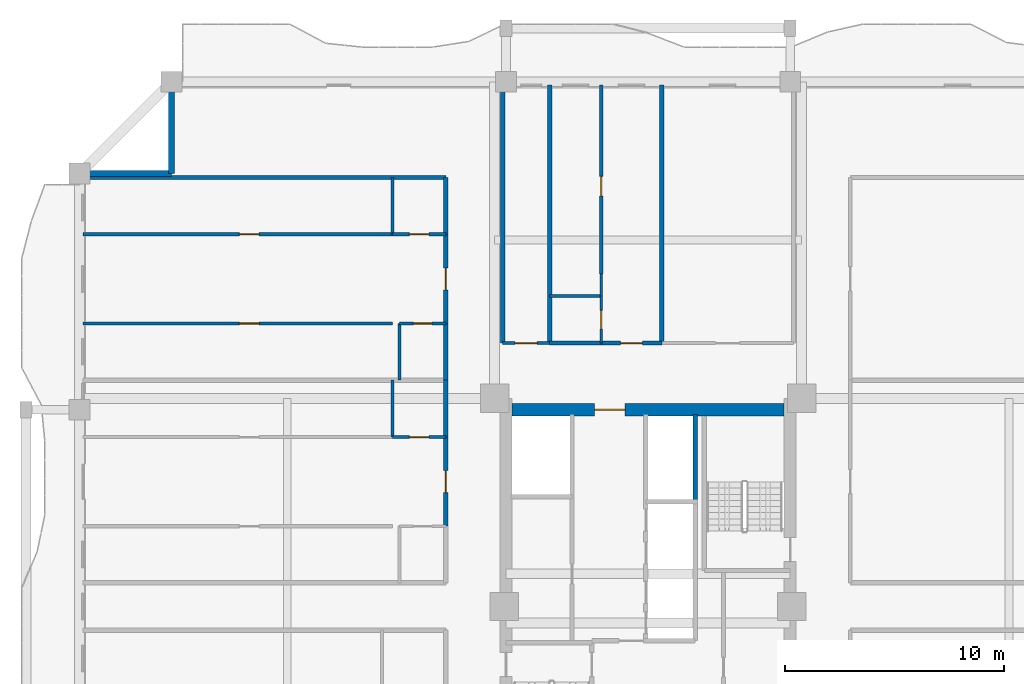
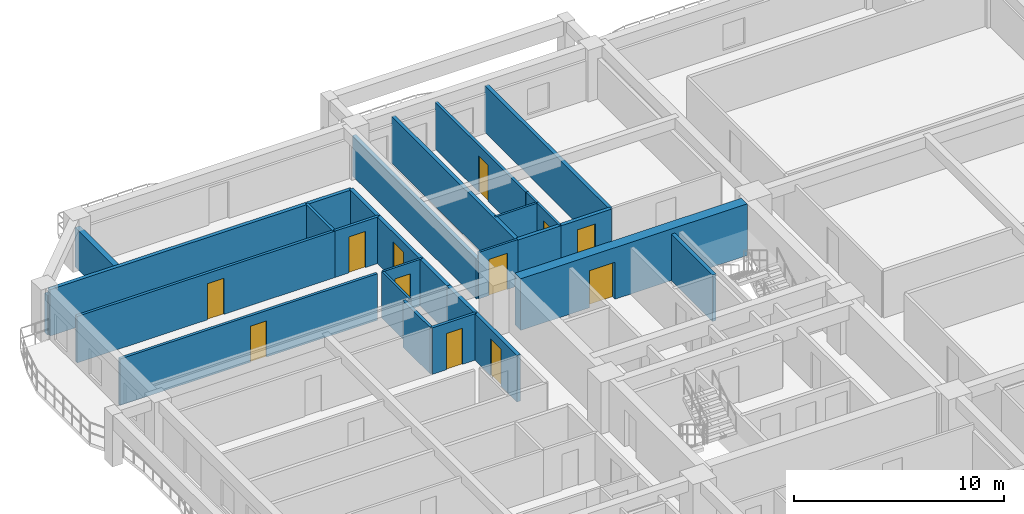
# One storey, part 5 of 11: 28 walls, 12 doors, 12 openings.
"""IFC4 building model written with IfcOpenShell, lengths in metres."""

from ifc_helpers import new_model, si_unit, direction, frame, frame_2d, origin, place, context, subcontext, project, spatial, rectangle, extrude, source, transform, mapped, material, layer, layer_set, type_object, element, fill, save


model = new_model("IFC4")

# Units and contexts
model_context = context("Model", 3, precision=1e-05, world=origin(), true_north=direction((0.0, 1.0)))
body_context = subcontext(model_context, "Body", "Model", "MODEL_VIEW")
ifc_project = project(units=[si_unit("LENGTHUNIT", "METRE"), si_unit("AREAUNIT", "SQUARE_METRE"), si_unit("VOLUMEUNIT", "CUBIC_METRE"), si_unit("PLANEANGLEUNIT", "RADIAN"), si_unit("MASSUNIT", "GRAM", prefix="KILO")], contexts=[model_context])

# Site, building, storey
site_placement = place(None, origin())
site = spatial("IfcSite", under=ifc_project, at=site_placement, CompositionType="ELEMENT")
building_placement = place(site_placement, origin())
building = spatial("IfcBuilding", under=site, at=building_placement, Name="Saelheon Loggia Tower", CompositionType="ELEMENT")
storey_placement = place(building_placement, frame((0.0, 0.0, 141.75)))
storey = spatial("IfcBuildingStorey", under=building, at=storey_placement, Name="L45", CompositionType="ELEMENT", Elevation=141.75)

# Wall, opening, door
ifc_material_1 = material(Name="Concrete C50/60", Category="concrete")
ifc_layer_1 = layer(ifc_material_1, 0.550048828125)
ifc_layer_set_1 = layer_set([ifc_layer_1], Name="Concrete C50/60")
wall_type_1 = type_object("IfcWallType", Name="Wall_CoreShear_550", PredefinedType="SHEAR", material=ifc_layer_set_1)
wall_1_placement = place(storey_placement, frame((31.77490234375, 36.0, 0.0), z_axis=(0.0, 0.0, 1.0), x_axis=(1.0, 0.0, 0.0)))
wall_1 = element("IfcWall", 1, at=wall_1_placement, inside=storey, type_object=wall_type_1, Name="L45 Core Shear Wall North", PredefinedType="SHEAR", context=body_context, shape_type="SweptSolid", body=[
    extrude(rectangle(XDim=12.4501953125, YDim=0.550048828125, at=frame_2d((6.22509765625, 0.0))), origin(), (0.0, 0.0, 1.0), 3.0),
])
opening_1_placement = place(wall_1_placement, frame((5.1748046875, 0.0, 0.0), z_axis=(0.0, 0.0, 1.0), x_axis=(-1.0, 0.0, 0.0)))
opening_1 = element("IfcOpeningElement", 2, at=opening_1_placement, cuts=wall_1, Name="Opening D-FD2L", PredefinedType="OPENING", context=body_context, shape_type="SweptSolid", body=[
    extrude(rectangle(XDim=1.39990234375, YDim=2.14990234375, at=frame_2d((0.699951171875, 1.074951171875))), frame((0.0, 0.287109375, 0.0), z_axis=(0.0, -1.0, 0.0), x_axis=(1.0, 0.0, 0.0)), (0.0, 0.0, 1.0), 0.573974609375),
])
ifc_material_2 = material(Name="Galvanised Steel Glazed Lobby Fire Door", Category="steel")
door_type_1 = type_object("IfcDoorType", Name="Door_Fire_FD60_1400", OperationType="NOTDEFINED", PredefinedType="DOOR", material=ifc_material_2)
shared_shape_1 = source(origin(), body_context, "Body", "SweptSolid", [
    extrude(rectangle(XDim=1.39990234375, YDim=2.14990234375, at=frame_2d((0.699951171875, 1.074951171875))), frame((0.0, 0.02490234375, 0.0), z_axis=(0.0, -1.0, 0.0), x_axis=(1.0, 0.0, 0.0)), (0.0, 0.0, 1.0), 0.050048828125),
])
door_1_placement = place(opening_1_placement, origin())
door_1 = element("IfcDoor", 3, at=door_1_placement, inside=storey, type_object=door_type_1, Name="L45 Passenger Lift Lobby Main Door", OperationType="SINGLE_SWING_RIGHT", OverallHeight=2.14990234375, OverallWidth=1.39990234375, PredefinedType="DOOR", context=body_context, shape_type="MappedRepresentation", body=[
    mapped(shared_shape_1, transform((0.0, 0.0, 0.0), scale=1.0)),
])
fill(opening_1, door_1)

# Walls
ifc_material_3 = material(Name="Architectural Precast Concrete C40/50", Category="concrete")
ifc_layer_2 = layer(ifc_material_3, 0.280029296875)
ifc_layer_set_2 = layer_set([ifc_layer_2], Name="Architectural Precast Concrete C40/50")
wall_type_2 = type_object("IfcWallType", Name="Wall_Ext_Loggia_280", PredefinedType="SOLIDWALL", material=ifc_layer_set_2)
for number, where, z_axis, x_axis, name in (
    (4, (16.199951171875, 46.800048828125, 0.0), (0.0, 0.0, 1.0), (0.0, 1.0, 0.0), "L45 Corner Notch Precast Wall NW1"),
    (5, (12.080078125, 46.800048828125, 0.0), (0.0, 0.0, 1.0), (1.0, 0.0, 0.0), "L45 Corner Notch Precast Wall NW2"),
):
    element("IfcWall", number, at=place(storey_placement, frame(where, z_axis=z_axis, x_axis=x_axis)), inside=storey, type_object=wall_type_2, Name=name, PredefinedType="SOLIDWALL", context=body_context, shape_type="SweptSolid", body=[
        extrude(rectangle(XDim=4.119873046875, YDim=0.280029296875, at=frame_2d((2.06005859375, 0.0))), origin(), (0.0, 0.0, 1.0), 2.280029296875),
    ])

# Wall, opening, door
ifc_material_4 = material(Name="Lightweight Autoclaved Aerated Concrete Block and Acoustic Gypsum", Category="concrete")
ifc_layer_3 = layer(ifc_material_4, 0.14990234375)
ifc_layer_set_3 = layer_set([ifc_layer_3], Name="Lightweight Autoclaved Aerated Concrete Block and Acoustic Gypsum")
wall_type_3 = type_object("IfcWallType", Name="Wall_Part_150", PredefinedType="PARTITIONING", material=ifc_layer_set_3)
wall_2_placement = place(storey_placement, frame((35.859375, 42.2099609375, 0.0), z_axis=(0.0, 0.0, 1.0), x_axis=(0.0, 1.0, 0.0)))
wall_2 = element("IfcWall", 6, at=wall_2_placement, inside=storey, type_object=wall_type_3, Name="L45 N Partition U10", PredefinedType="PARTITIONING", context=body_context, shape_type="SweptSolid", body=[
    extrude(rectangle(XDim=8.64013671875, YDim=0.14990234375, at=frame_2d((4.320068359375, 0.0))), origin(), (0.0, 0.0, 1.0), 2.699951171875),
])
opening_2_placement = place(wall_2_placement, frame((3.5673828125, 0.0, 0.0)))
opening_2 = element("IfcOpeningElement", 7, at=opening_2_placement, cuts=wall_2, Name="Opening D-IN2", PredefinedType="OPENING", context=body_context, shape_type="SweptSolid", body=[
    extrude(rectangle(XDim=0.89990234375, YDim=2.10009765625, at=frame_2d((0.449951171875, 1.050048828125))), frame((0.0, 0.0869140625, 0.0), z_axis=(0.0, -1.0, 0.0), x_axis=(1.0, 0.0, 0.0)), (0.0, 0.0, 1.0), 0.173828125),
])
ifc_material_5 = material(Name="Engineered Oak Flush Door", Category="timber")
door_type_2 = type_object("IfcDoorType", Name="Door_Int_900", OperationType="NOTDEFINED", PredefinedType="DOOR", material=ifc_material_5)
shared_shape_2 = source(origin(), body_context, "Body", "SweptSolid", [
    extrude(rectangle(XDim=0.89990234375, YDim=2.10009765625, at=frame_2d((0.449951171875, 1.050048828125))), frame((0.0, 0.02490234375, 0.0), z_axis=(0.0, -1.0, 0.0), x_axis=(1.0, 0.0, 0.0)), (0.0, 0.0, 1.0), 0.050048828125),
])
door_2_placement = place(opening_2_placement, origin())
door_2 = element("IfcDoor", 8, at=door_2_placement, inside=storey, type_object=door_type_2, Name="Unit U01 Kitchen Door", OperationType="SINGLE_SWING_RIGHT", OverallHeight=2.10009765625, OverallWidth=0.89990234375, PredefinedType="DOOR", context=body_context, shape_type="MappedRepresentation", body=[
    mapped(shared_shape_2, transform((0.0, 0.0, 0.0), scale=1.0)),
])
fill(opening_2, door_2)

# Wall
wall_3_placement = place(storey_placement, frame((26.31005859375, 34.75, 0.0), z_axis=(0.0, 0.0, 1.0), x_axis=(0.0, 1.0, 0.0)))
element("IfcWall", 9, at=wall_3_placement, inside=storey, type_object=wall_type_3, Name="L45 WN Partition V07", PredefinedType="PARTITIONING", context=body_context, shape_type="SweptSolid", body=[
    extrude(rectangle(XDim=2.60009765625, YDim=0.14990234375, at=frame_2d((1.300048828125, 0.0))), origin(), (0.0, 0.0, 1.0), 2.699951171875),
])

# Wall, opening, door
wall_4_placement = place(storey_placement, frame((28.75, 34.75, 0.0), z_axis=(0.0, 0.0, 1.0), x_axis=(-1.0, 0.0, 0.0)))
wall_4 = element("IfcWall", 10, at=wall_4_placement, inside=storey, type_object=wall_type_3, Name="L45 WN Partition U10", PredefinedType="PARTITIONING", context=body_context, shape_type="SweptSolid", body=[
    extrude(rectangle(XDim=2.43994140625, YDim=0.14990234375, at=frame_2d((1.219970703125, 0.0))), origin(), (0.0, 0.0, 1.0), 2.699951171875),
])
opening_3_placement = place(wall_4_placement, frame((0.77001953125, 0.0, 0.0)))
opening_3 = element("IfcOpeningElement", 11, at=opening_3_placement, cuts=wall_4, Name="Opening D-IN2", PredefinedType="OPENING", context=body_context, shape_type="SweptSolid", body=[
    extrude(rectangle(XDim=0.89990234375, YDim=2.10009765625, at=frame_2d((0.449951171875, 1.050048828125))), frame((0.0, 0.0869140625, 0.0), z_axis=(0.0, -1.0, 0.0), x_axis=(1.0, 0.0, 0.0)), (0.0, 0.0, 1.0), 0.173828125),
])
door_3_placement = place(opening_3_placement, origin())
door_3 = element("IfcDoor", 12, at=door_3_placement, inside=storey, type_object=door_type_2, Name="Unit U04 Dressing Closet Door", OperationType="SINGLE_SWING_LEFT", OverallHeight=2.10009765625, OverallWidth=0.89990234375, PredefinedType="DOOR", context=body_context, shape_type="MappedRepresentation", body=[
    mapped(shared_shape_2, transform((0.0, 0.0, 0.0), scale=1.0)),
])
fill(opening_3, door_3)

# Wall
wall_5_placement = place(storey_placement, frame((26.31005859375, 44.02001953125, 0.0), z_axis=(0.0, 0.0, 1.0), x_axis=(0.0, 1.0, 0.0)))
element("IfcWall", 13, at=wall_5_placement, inside=storey, type_object=wall_type_3, Name="L45 WN Partition V17", PredefinedType="PARTITIONING", context=body_context, shape_type="SweptSolid", body=[
    extrude(rectangle(XDim=2.60009765625, YDim=0.14990234375, at=frame_2d((1.300048828125, 0.0))), origin(), (0.0, 0.0, 1.0), 2.699951171875),
])

# Wall, opening, door
wall_6_placement = place(storey_placement, frame((26.31005859375, 39.945556640625, 0.0), z_axis=(0.0, 0.0, 1.0), x_axis=(-1.0, 0.0, 0.0)))
wall_6 = element("IfcWall", 14, at=wall_6_placement, inside=storey, type_object=wall_type_3, Name="L45 WN Partition U19", PredefinedType="PARTITIONING", context=body_context, shape_type="SweptSolid", body=[
    extrude(rectangle(XDim=14.16015625, YDim=0.14990234375, at=frame_2d((7.080078125, 0.0))), origin(), (0.0, 0.0, 1.0), 2.699951171875),
])
opening_4_placement = place(wall_6_placement, frame((6.097412109375, 0.0, 0.0)))
opening_4 = element("IfcOpeningElement", 15, at=opening_4_placement, cuts=wall_6, Name="Opening D-IN2", PredefinedType="OPENING", context=body_context, shape_type="SweptSolid", body=[
    extrude(rectangle(XDim=0.89990234375, YDim=2.10009765625, at=frame_2d((0.449951171875, 1.050048828125))), frame((0.0, 0.0869140625, 0.0), z_axis=(0.0, -1.0, 0.0), x_axis=(1.0, 0.0, 0.0)), (0.0, 0.0, 1.0), 0.173828125),
])
door_4_placement = place(opening_4_placement, origin())
door_4 = element("IfcDoor", 16, at=door_4_placement, inside=storey, type_object=door_type_2, Name="Unit U05 Kitchen Door", OperationType="SINGLE_SWING_LEFT", OverallHeight=2.10009765625, OverallWidth=0.89990234375, PredefinedType="DOOR", context=body_context, shape_type="MappedRepresentation", body=[
    mapped(shared_shape_2, transform((0.0, 0.0, 0.0), scale=1.0)),
])
fill(opening_4, door_4)

wall_7_placement = place(storey_placement, frame((28.75, 44.02001953125, 0.0), z_axis=(0.0, 0.0, 1.0), x_axis=(-1.0, 0.0, 0.0)))
wall_7 = element("IfcWall", 17, at=wall_7_placement, inside=storey, type_object=wall_type_3, Name="L45 WN Partition U20", PredefinedType="PARTITIONING", context=body_context, shape_type="SweptSolid", body=[
    extrude(rectangle(XDim=2.43994140625, YDim=0.14990234375, at=frame_2d((1.219970703125, 0.0))), origin(), (0.0, 0.0, 1.0), 2.699951171875),
])
opening_5_placement = place(wall_7_placement, frame((0.77001953125, 0.0, 0.0)))
opening_5 = element("IfcOpeningElement", 18, at=opening_5_placement, cuts=wall_7, Name="Opening D-IN2", PredefinedType="OPENING", context=body_context, shape_type="SweptSolid", body=[
    extrude(rectangle(XDim=0.89990234375, YDim=2.10009765625, at=frame_2d((0.449951171875, 1.050048828125))), frame((0.0, 0.0869140625, 0.0), z_axis=(0.0, -1.0, 0.0), x_axis=(1.0, 0.0, 0.0)), (0.0, 0.0, 1.0), 0.173828125),
])
door_5_placement = place(opening_5_placement, origin())
door_5 = element("IfcDoor", 19, at=door_5_placement, inside=storey, type_object=door_type_2, Name="Unit U05 Dressing Closet Door", OperationType="SINGLE_SWING_RIGHT", OverallHeight=2.10009765625, OverallWidth=0.89990234375, PredefinedType="DOOR", context=body_context, shape_type="MappedRepresentation", body=[
    mapped(shared_shape_2, transform((0.0, 0.0, 0.0), scale=1.0)),
])
fill(opening_5, door_5)

wall_8_placement = place(storey_placement, frame((26.31005859375, 44.02001953125, 0.0), z_axis=(0.0, 0.0, 1.0), x_axis=(-1.0, 0.0, 0.0)))
wall_8 = element("IfcWall", 20, at=wall_8_placement, inside=storey, type_object=wall_type_3, Name="L45 WN Partition U21", PredefinedType="PARTITIONING", context=body_context, shape_type="SweptSolid", body=[
    extrude(rectangle(XDim=14.16015625, YDim=0.14990234375, at=frame_2d((7.080078125, 0.0))), origin(), (0.0, 0.0, 1.0), 2.699951171875),
])
opening_6_placement = place(wall_8_placement, frame((6.097412109375, 0.0, 0.0)))
opening_6 = element("IfcOpeningElement", 21, at=opening_6_placement, cuts=wall_8, Name="Opening D-IN2", PredefinedType="OPENING", context=body_context, shape_type="SweptSolid", body=[
    extrude(rectangle(XDim=0.89990234375, YDim=2.10009765625, at=frame_2d((0.449951171875, 1.050048828125))), frame((0.0, 0.0869140625, 0.0), z_axis=(0.0, -1.0, 0.0), x_axis=(1.0, 0.0, 0.0)), (0.0, 0.0, 1.0), 0.173828125),
])
door_6_placement = place(opening_6_placement, origin())
door_6 = element("IfcDoor", 22, at=door_6_placement, inside=storey, type_object=door_type_2, Name="Unit U05 Bedroom 1 Door", OperationType="SINGLE_SWING_LEFT", OverallHeight=2.10009765625, OverallWidth=0.89990234375, PredefinedType="DOOR", context=body_context, shape_type="MappedRepresentation", body=[
    mapped(shared_shape_2, transform((0.0, 0.0, 0.0), scale=1.0)),
])
fill(opening_6, door_6)

# Walls
ifc_material_6 = material(Name="Double Acoustic Stud and Fireboard Partition", Category="gypsum")
ifc_layer_4 = layer(ifc_material_6, 0.199951171875)
ifc_layer_set_4 = layer_set([ifc_layer_4], Name="Double Acoustic Stud and Fireboard Partition")
wall_type_4 = type_object("IfcWallType", Name="Wall_Party_200", PredefinedType="PARTITIONING", material=ifc_layer_set_4)
wall_9_placement = place(storey_placement, frame((31.35009765625, 39.050048828125, 0.0), z_axis=(0.0, 0.0, 1.0), x_axis=(0.0, 1.0, 0.0)))
element("IfcWall", 23, at=wall_9_placement, inside=storey, type_object=wall_type_4, Name="L45 N Partition U01", PredefinedType="PARTITIONING", context=body_context, shape_type="SweptSolid", body=[
    extrude(rectangle(XDim=11.800048828125, YDim=0.199951171875, at=frame_2d((5.89990234375, 0.0))), origin(), (0.0, 0.0, 1.0), 2.340087890625),
])
wall_10_placement = place(storey_placement, frame((33.5, 39.050048828125, 0.0), z_axis=(0.0, 0.0, 1.0), x_axis=(0.0, 1.0, 0.0)))
element("IfcWall", 24, at=wall_10_placement, inside=storey, type_object=wall_type_4, Name="L45 N Partition U03", PredefinedType="PARTITIONING", context=body_context, shape_type="SweptSolid", body=[
    extrude(rectangle(XDim=11.800048828125, YDim=0.199951171875, at=frame_2d((5.89990234375, 0.0))), origin(), (0.0, 0.0, 1.0), 2.699951171875),
])
wall_11_placement = place(storey_placement, frame((33.5, 39.050048828125, 0.0), z_axis=(0.0, 0.0, 1.0), x_axis=(1.0, 0.0, 0.0)))
element("IfcWall", 25, at=wall_11_placement, inside=storey, type_object=wall_type_4, Name="L45 N Partition V05", PredefinedType="PARTITIONING", context=body_context, shape_type="SweptSolid", body=[
    extrude(rectangle(XDim=2.359375, YDim=0.199951171875, at=frame_2d((1.1796875, 0.0))), origin(), (0.0, 0.0, 1.0), 2.699951171875),
])

# Wall, opening, door
wall_12_placement = place(storey_placement, frame((35.859375, 39.050048828125, 0.0), z_axis=(0.0, 0.0, 1.0), x_axis=(1.0, 0.0, 0.0)))
wall_12 = element("IfcWall", 26, at=wall_12_placement, inside=storey, type_object=wall_type_4, Name="L45 N Partition V06", PredefinedType="PARTITIONING", context=body_context, shape_type="SweptSolid", body=[
    extrude(rectangle(XDim=2.76953125, YDim=0.199951171875, at=frame_2d((1.384765625, 0.0))), origin(), (0.0, 0.0, 1.0), 2.699951171875),
])
opening_7_placement = place(wall_12_placement, frame((0.885009765625, 0.0, 0.0)))
opening_7 = element("IfcOpeningElement", 27, at=opening_7_placement, cuts=wall_12, Name="Opening D-FD1", PredefinedType="OPENING", context=body_context, shape_type="SweptSolid", body=[
    extrude(rectangle(XDim=1.0, YDim=2.14990234375, at=frame_2d((0.5, 1.074951171875))), frame((0.0, 0.112060546875, 0.0), z_axis=(0.0, -1.0, 0.0), x_axis=(1.0, 0.0, 0.0)), (0.0, 0.0, 1.0), 0.223876953125),
])
ifc_material_7 = material(Name="Fire-Rated Engineered Timber Entrance Door", Category="wood")
door_type_3 = type_object("IfcDoorType", Name="Door_Flat_FD30S", OperationType="NOTDEFINED", PredefinedType="DOOR", material=ifc_material_7)
shared_shape_3 = source(origin(), body_context, "Body", "SweptSolid", [
    extrude(rectangle(XDim=1.0, YDim=2.14990234375, at=frame_2d((0.5, 1.074951171875))), frame((0.0, 0.02490234375, 0.0), z_axis=(0.0, -1.0, 0.0), x_axis=(1.0, 0.0, 0.0)), (0.0, 0.0, 1.0), 0.050048828125),
])
door_7_placement = place(opening_7_placement, origin())
door_7 = element("IfcDoor", 28, at=door_7_placement, inside=storey, type_object=door_type_3, Name="Unit U01 Entrance Door", OperationType="SINGLE_SWING_RIGHT", OverallHeight=2.14990234375, OverallWidth=1.0, PredefinedType="DOOR", context=body_context, shape_type="MappedRepresentation", body=[
    mapped(shared_shape_3, transform((0.0, 0.0, 0.0), scale=1.0)),
])
fill(opening_7, door_7)

# Walls
wall_13_placement = place(storey_placement, frame((38.62890625, 39.050048828125, 0.0), z_axis=(0.0, 0.0, 1.0), x_axis=(0.0, 1.0, 0.0)))
element("IfcWall", 29, at=wall_13_placement, inside=storey, type_object=wall_type_4, Name="L45 N Partition U11", PredefinedType="PARTITIONING", context=body_context, shape_type="SweptSolid", body=[
    extrude(rectangle(XDim=11.800048828125, YDim=0.199951171875, at=frame_2d((5.89990234375, 0.0))), origin(), (0.0, 0.0, 1.0), 2.699951171875),
])
wall_14_placement = place(storey_placement, frame((28.75, 46.6201171875, 0.0), z_axis=(0.0, 0.0, 1.0), x_axis=(-1.0, 0.0, 0.0)))
element("IfcWall", 30, at=wall_14_placement, inside=storey, type_object=wall_type_4, Name="L45 WN Partition U02", PredefinedType="PARTITIONING", context=body_context, shape_type="SweptSolid", body=[
    extrude(rectangle(XDim=16.60009765625, YDim=0.199951171875, at=frame_2d((8.300048828125, 0.0))), origin(), (0.0, 0.0, 1.0), 2.699951171875),
])

# Wall, opening, door
wall_15_placement = place(storey_placement, frame((28.75, 30.675537109375, 0.0), z_axis=(0.0, 0.0, 1.0), x_axis=(0.0, 1.0, 0.0)))
wall_15 = element("IfcWall", 31, at=wall_15_placement, inside=storey, type_object=wall_type_4, Name="L45 WN Partition V04", PredefinedType="PARTITIONING", context=body_context, shape_type="SweptSolid", body=[
    extrude(rectangle(XDim=4.074462890625, YDim=0.199951171875, at=frame_2d((2.037109375, 0.0))), origin(), (0.0, 0.0, 1.0), 2.699951171875),
])
opening_8_placement = place(wall_15_placement, frame((1.537109375, 0.0, 0.0)))
opening_8 = element("IfcOpeningElement", 32, at=opening_8_placement, cuts=wall_15, Name="Opening D-FD1", PredefinedType="OPENING", context=body_context, shape_type="SweptSolid", body=[
    extrude(rectangle(XDim=1.0, YDim=2.14990234375, at=frame_2d((0.5, 1.074951171875))), frame((0.0, 0.112060546875, 0.0), z_axis=(0.0, -1.0, 0.0), x_axis=(1.0, 0.0, 0.0)), (0.0, 0.0, 1.0), 0.223876953125),
])
door_8_placement = place(opening_8_placement, origin())
door_8 = element("IfcDoor", 33, at=door_8_placement, inside=storey, type_object=door_type_3, Name="Unit U04 Entrance Door", OperationType="SINGLE_SWING_RIGHT", OverallHeight=2.14990234375, OverallWidth=1.0, PredefinedType="DOOR", context=body_context, shape_type="MappedRepresentation", body=[
    mapped(shared_shape_3, transform((0.0, 0.0, 0.0), scale=1.0)),
])
fill(opening_8, door_8)

# Walls
wall_16_placement = place(storey_placement, frame((28.75, 34.75, 0.0), z_axis=(0.0, 0.0, 1.0), x_axis=(0.0, 1.0, 0.0)))
element("IfcWall", 34, at=wall_16_placement, inside=storey, type_object=wall_type_4, Name="L45 WN Partition V05", PredefinedType="PARTITIONING", context=body_context, shape_type="SweptSolid", body=[
    extrude(rectangle(XDim=2.60009765625, YDim=0.199951171875, at=frame_2d((1.300048828125, 0.0))), origin(), (0.0, 0.0, 1.0), 2.699951171875),
])
wall_17_placement = place(storey_placement, frame((28.75, 37.35009765625, 0.0), z_axis=(0.0, 0.0, 1.0), x_axis=(0.0, 1.0, 0.0)))
element("IfcWall", 35, at=wall_17_placement, inside=storey, type_object=wall_type_4, Name="L45 WN Partition V13", PredefinedType="PARTITIONING", context=body_context, shape_type="SweptSolid", body=[
    extrude(rectangle(XDim=2.595458984375, YDim=0.199951171875, at=frame_2d((1.2978515625, 0.0))), origin(), (0.0, 0.0, 1.0), 2.699951171875),
])

# Wall, opening, door
wall_18_placement = place(storey_placement, frame((28.75, 39.945556640625, 0.0), z_axis=(0.0, 0.0, 1.0), x_axis=(0.0, 1.0, 0.0)))
wall_18 = element("IfcWall", 36, at=wall_18_placement, inside=storey, type_object=wall_type_4, Name="L45 WN Partition V14", PredefinedType="PARTITIONING", context=body_context, shape_type="SweptSolid", body=[
    extrude(rectangle(XDim=4.074462890625, YDim=0.199951171875, at=frame_2d((2.037109375, 0.0))), origin(), (0.0, 0.0, 1.0), 2.699951171875),
])
opening_9_placement = place(wall_18_placement, frame((1.537109375, 0.0, 0.0)))
opening_9 = element("IfcOpeningElement", 37, at=opening_9_placement, cuts=wall_18, Name="Opening D-FD1", PredefinedType="OPENING", context=body_context, shape_type="SweptSolid", body=[
    extrude(rectangle(XDim=1.0, YDim=2.14990234375, at=frame_2d((0.5, 1.074951171875))), frame((0.0, 0.112060546875, 0.0), z_axis=(0.0, -1.0, 0.0), x_axis=(1.0, 0.0, 0.0)), (0.0, 0.0, 1.0), 0.223876953125),
])
door_9_placement = place(opening_9_placement, origin())
door_9 = element("IfcDoor", 38, at=door_9_placement, inside=storey, type_object=door_type_3, Name="Unit U05 Entrance Door", OperationType="SINGLE_SWING_LEFT", OverallHeight=2.14990234375, OverallWidth=1.0, PredefinedType="DOOR", context=body_context, shape_type="MappedRepresentation", body=[
    mapped(shared_shape_3, transform((0.0, 0.0, 0.0), scale=1.0)),
])
fill(opening_9, door_9)

# Walls
wall_19_placement = place(storey_placement, frame((28.75, 44.02001953125, 0.0), z_axis=(0.0, 0.0, 1.0), x_axis=(0.0, 1.0, 0.0)))
element("IfcWall", 39, at=wall_19_placement, inside=storey, type_object=wall_type_4, Name="L45 WN Partition V15", PredefinedType="PARTITIONING", context=body_context, shape_type="SweptSolid", body=[
    extrude(rectangle(XDim=2.60009765625, YDim=0.199951171875, at=frame_2d((1.300048828125, 0.0))), origin(), (0.0, 0.0, 1.0), 2.699951171875),
])
ifc_material_8 = material(Name="Concrete C40/50", Category="concrete")
ifc_layer_5 = layer(ifc_material_8, 0.199951171875)
ifc_layer_set_5 = layer_set([ifc_layer_5], Name="Concrete C40/50")
wall_type_5 = type_object("IfcWallType", Name="Wall_Shaft_200", PredefinedType="PARTITIONING", material=ifc_layer_set_5)
wall_20_placement = place(storey_placement, frame((40.14990234375, 31.800048828125, 0.0), z_axis=(0.0, 0.0, 1.0), x_axis=(0.0, 1.0, 0.0)))
element("IfcWall", 40, at=wall_20_placement, inside=storey, type_object=wall_type_5, Name="L45 East High-Rise Hoistway East Wall", PredefinedType="PARTITIONING", context=body_context, shape_type="SweptSolid", body=[
    extrude(rectangle(XDim=3.97998046875, YDim=0.199951171875, at=frame_2d((1.989990234375, 0.0))), origin(), (0.0, 0.0, 1.0), 2.699951171875),
])

# Wall, opening, door
ifc_material_9 = material(Name="Moisture-Resistant Cement Board Partition", Category="gypsum")
ifc_layer_6 = layer(ifc_material_9, 0.1201171875)
ifc_layer_set_6 = layer_set([ifc_layer_6], Name="Moisture-Resistant Cement Board Partition")
wall_type_6 = type_object("IfcWallType", Name="Wall_WetPart_120", PredefinedType="PARTITIONING", material=ifc_layer_set_6)
wall_21_placement = place(storey_placement, frame((31.35009765625, 39.050048828125, 0.0), z_axis=(0.0, 0.0, 1.0), x_axis=(1.0, 0.0, 0.0)))
wall_21 = element("IfcWall", 41, at=wall_21_placement, inside=storey, type_object=wall_type_6, Name="L45 N Partition V04", PredefinedType="PARTITIONING", context=body_context, shape_type="SweptSolid", body=[
    extrude(rectangle(XDim=2.14990234375, YDim=0.1201171875, at=frame_2d((1.074951171875, 0.0))), origin(), (0.0, 0.0, 1.0), 2.699951171875),
])
opening_10_placement = place(wall_21_placement, frame((0.574951171875, 0.0, 0.0)))
opening_10 = element("IfcOpeningElement", 42, at=opening_10_placement, cuts=wall_21, Name="Opening D-AC1", PredefinedType="OPENING", context=body_context, shape_type="SweptSolid", body=[
    extrude(rectangle(XDim=1.0, YDim=2.10009765625, at=frame_2d((0.5, 1.050048828125))), frame((0.0, 0.072021484375, 0.0), z_axis=(0.0, -1.0, 0.0), x_axis=(1.0, 0.0, 0.0)), (0.0, 0.0, 1.0), 0.14404296875),
])
ifc_material_10 = material(Name="Accessible Laminate Flush Door", Category="timber")
door_type_4 = type_object("IfcDoorType", Name="Door_Acc_1000", OperationType="NOTDEFINED", PredefinedType="DOOR", material=ifc_material_10)
shared_shape_4 = source(origin(), body_context, "Body", "SweptSolid", [
    extrude(rectangle(XDim=1.0, YDim=2.10009765625, at=frame_2d((0.5, 1.050048828125))), frame((0.0, 0.02490234375, 0.0), z_axis=(0.0, -1.0, 0.0), x_axis=(1.0, 0.0, 0.0)), (0.0, 0.0, 1.0), 0.050048828125),
])
door_10_placement = place(opening_10_placement, origin())
door_10 = element("IfcDoor", 43, at=door_10_placement, inside=storey, type_object=door_type_4, Name="L45 Floor Accessible WC Door", OperationType="SINGLE_SWING_LEFT", OverallHeight=2.10009765625, OverallWidth=1.0, PredefinedType="DOOR", context=body_context, shape_type="MappedRepresentation", body=[
    mapped(shared_shape_4, transform((0.0, 0.0, 0.0), scale=1.0)),
])
fill(opening_10, door_10)

wall_22_placement = place(storey_placement, frame((35.859375, 39.050048828125, 0.0), z_axis=(0.0, 0.0, 1.0), x_axis=(0.0, 1.0, 0.0)))
wall_22 = element("IfcWall", 44, at=wall_22_placement, inside=storey, type_object=wall_type_6, Name="L45 N Partition U07", PredefinedType="PARTITIONING", context=body_context, shape_type="SweptSolid", body=[
    extrude(rectangle(XDim=2.14990234375, YDim=0.1201171875, at=frame_2d((1.074951171875, 0.0))), origin(), (0.0, 0.0, 1.0), 2.699951171875),
])
opening_11_placement = place(wall_22_placement, frame((0.64990234375, 0.0, 0.0)))
opening_11 = element("IfcOpeningElement", 45, at=opening_11_placement, cuts=wall_22, Name="Opening D-BT1", PredefinedType="OPENING", context=body_context, shape_type="SweptSolid", body=[
    extrude(rectangle(XDim=0.85009765625, YDim=2.050048828125, at=frame_2d((0.425048828125, 1.02490234375))), frame((0.0, 0.072021484375, 0.0), z_axis=(0.0, -1.0, 0.0), x_axis=(1.0, 0.0, 0.0)), (0.0, 0.0, 1.0), 0.14404296875),
])
ifc_material_11 = material(Name="Moisture-Resistant Laminate Timber Door", Category="wood")
door_type_5 = type_object("IfcDoorType", Name="Door_Bath_850", OperationType="NOTDEFINED", PredefinedType="DOOR", material=ifc_material_11)
shared_shape_5 = source(origin(), body_context, "Body", "SweptSolid", [
    extrude(rectangle(XDim=0.85009765625, YDim=2.050048828125, at=frame_2d((0.425048828125, 1.02490234375))), frame((0.0, 0.02490234375, 0.0), z_axis=(0.0, -1.0, 0.0), x_axis=(1.0, 0.0, 0.0)), (0.0, 0.0, 1.0), 0.050048828125),
])
door_11_placement = place(opening_11_placement, origin())
door_11 = element("IfcDoor", 46, at=door_11_placement, inside=storey, type_object=door_type_5, Name="Unit U01 Bathroom Door", OperationType="SINGLE_SWING_LEFT", OverallHeight=2.050048828125, OverallWidth=0.85009765625, PredefinedType="DOOR", context=body_context, shape_type="MappedRepresentation", body=[
    mapped(shared_shape_5, transform((0.0, 0.0, 0.0), scale=1.0)),
])
fill(opening_11, door_11)

# Walls
wall_23_placement = place(storey_placement, frame((35.859375, 41.199951171875, 0.0), z_axis=(0.0, 0.0, 1.0), x_axis=(0.0, 1.0, 0.0)))
element("IfcWall", 47, at=wall_23_placement, inside=storey, type_object=wall_type_6, Name="L45 N Partition U08", PredefinedType="PARTITIONING", context=body_context, shape_type="SweptSolid", body=[
    extrude(rectangle(XDim=1.010009765625, YDim=0.1201171875, at=frame_2d((0.5048828125, 0.0))), origin(), (0.0, 0.0, 1.0), 2.699951171875),
])
wall_24_placement = place(storey_placement, frame((33.5, 41.199951171875, 0.0), z_axis=(0.0, 0.0, 1.0), x_axis=(1.0, 0.0, 0.0)))
element("IfcWall", 48, at=wall_24_placement, inside=storey, type_object=wall_type_6, Name="L45 N Partition V09", PredefinedType="PARTITIONING", context=body_context, shape_type="SweptSolid", body=[
    extrude(rectangle(XDim=2.359375, YDim=0.1201171875, at=frame_2d((1.1796875, 0.0))), origin(), (0.0, 0.0, 1.0), 2.699951171875),
])
wall_25_placement = place(storey_placement, frame((26.6298828125, 37.35009765625, 0.0), z_axis=(0.0, 0.0, 1.0), x_axis=(0.0, 1.0, 0.0)))
element("IfcWall", 49, at=wall_25_placement, inside=storey, type_object=wall_type_6, Name="L45 WN Partition V16", PredefinedType="PARTITIONING", context=body_context, shape_type="SweptSolid", body=[
    extrude(rectangle(XDim=2.595458984375, YDim=0.1201171875, at=frame_2d((1.2978515625, 0.0))), origin(), (0.0, 0.0, 1.0), 2.699951171875),
])

# Wall, opening, door
wall_26_placement = place(storey_placement, frame((28.75, 39.945556640625, 0.0), z_axis=(0.0, 0.0, 1.0), x_axis=(-1.0, 0.0, 0.0)))
wall_26 = element("IfcWall", 50, at=wall_26_placement, inside=storey, type_object=wall_type_6, Name="L45 WN Partition U18", PredefinedType="PARTITIONING", context=body_context, shape_type="SweptSolid", body=[
    extrude(rectangle(XDim=2.1201171875, YDim=0.1201171875, at=frame_2d((1.06005859375, 0.0))), origin(), (0.0, 0.0, 1.0), 2.699951171875),
])
opening_12_placement = place(wall_26_placement, frame((0.635009765625, 0.0, 0.0)))
opening_12 = element("IfcOpeningElement", 51, at=opening_12_placement, cuts=wall_26, Name="Opening D-BT1", PredefinedType="OPENING", context=body_context, shape_type="SweptSolid", body=[
    extrude(rectangle(XDim=0.85009765625, YDim=2.050048828125, at=frame_2d((0.425048828125, 1.02490234375))), frame((0.0, 0.072021484375, 0.0), z_axis=(0.0, -1.0, 0.0), x_axis=(1.0, 0.0, 0.0)), (0.0, 0.0, 1.0), 0.14404296875),
])
door_12_placement = place(opening_12_placement, origin())
door_12 = element("IfcDoor", 52, at=door_12_placement, inside=storey, type_object=door_type_5, Name="Unit U05 Bathroom Door", OperationType="SINGLE_SWING_RIGHT", OverallHeight=2.050048828125, OverallWidth=0.85009765625, PredefinedType="DOOR", context=body_context, shape_type="MappedRepresentation", body=[
    mapped(shared_shape_5, transform((0.0, 0.0, 0.0), scale=1.0)),
])
fill(opening_12, door_12)

save(model, "model.ifc")
